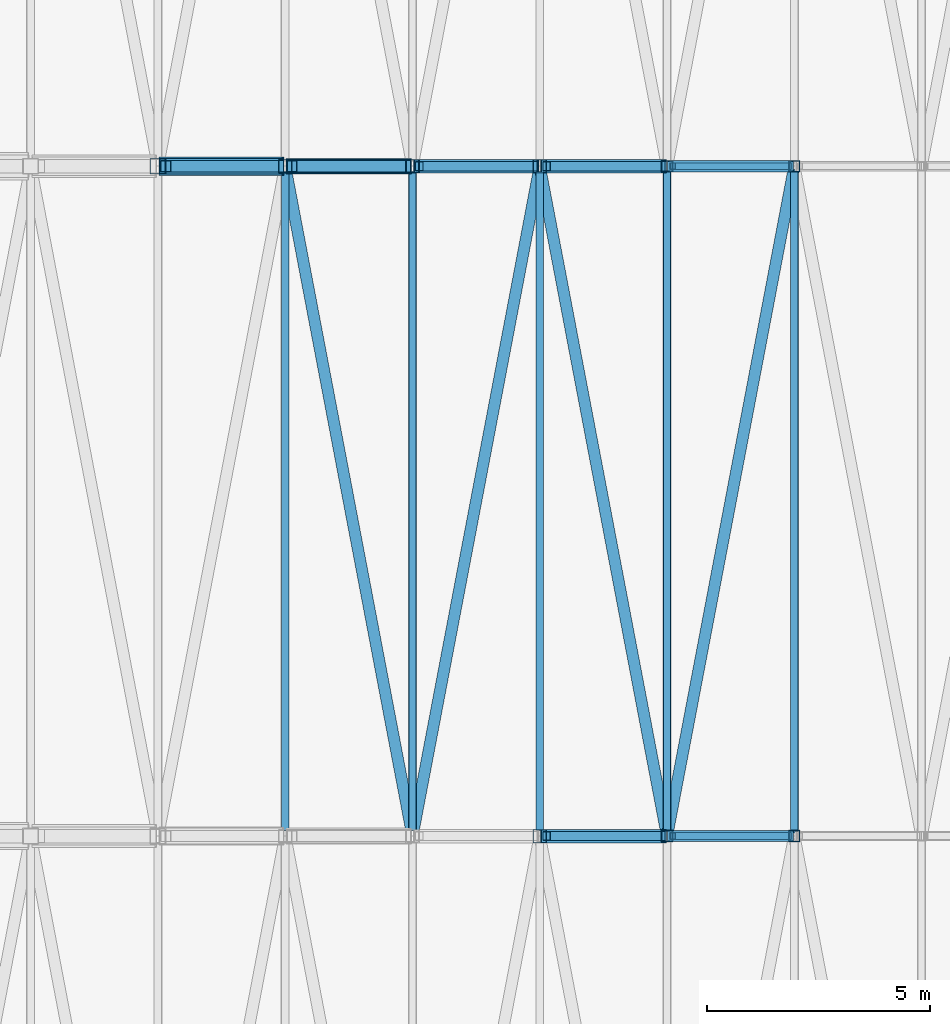
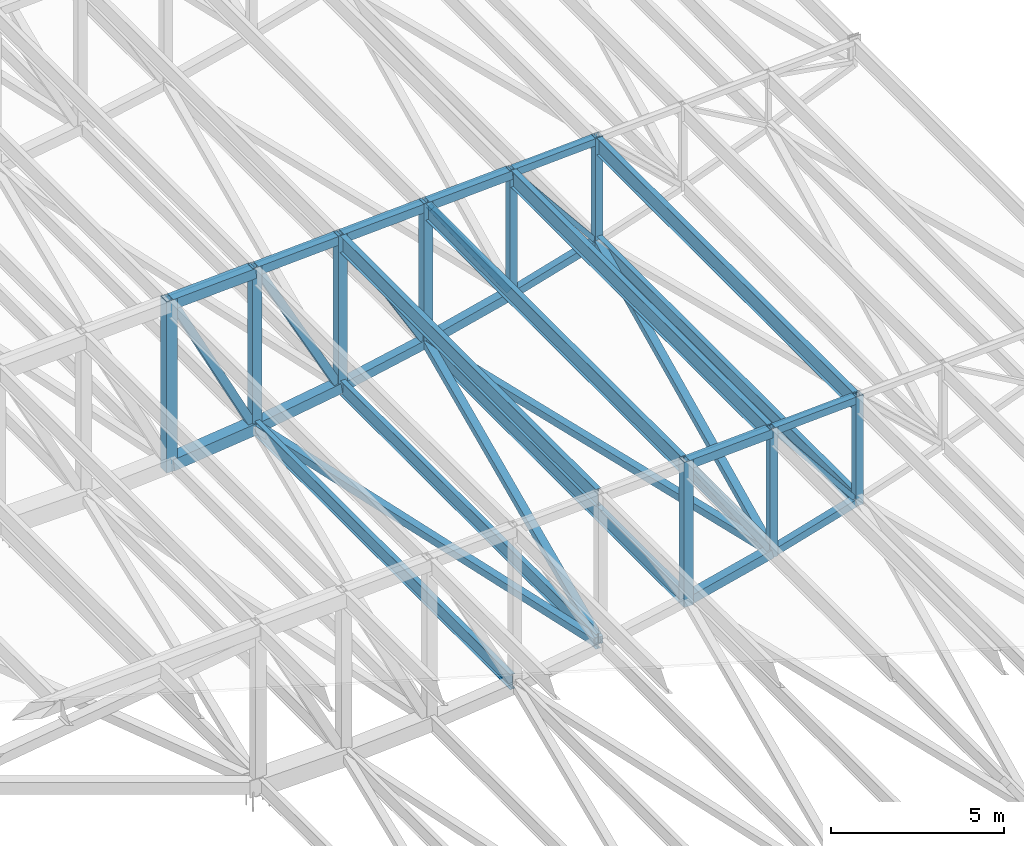
# One storey, part 37 of 278: 23 beams, 20 members.
"""IFC4 building model written with IfcOpenShell, lengths in metres."""

from ifc_helpers import new_model, si_unit, direction, frame, origin, origin_2d, place, context, subcontext, project, spatial, hollow_rectangle, i_section, extrude, material, material_profile, profile_set, type_object, element, save


model = new_model("IFC4")

# Units and contexts
model_context = context("Model", 3, precision=1e-05, world=origin(), true_north=direction((0.0, 1.0)))
body_context = subcontext(model_context, "Body", "Model", "MODEL_VIEW")
ifc_project = project(units=[si_unit("LENGTHUNIT", "METRE"), si_unit("AREAUNIT", "SQUARE_METRE"), si_unit("VOLUMEUNIT", "CUBIC_METRE"), si_unit("PLANEANGLEUNIT", "RADIAN"), si_unit("MASSUNIT", "GRAM", prefix="KILO")], contexts=[model_context])

# Site, building, storey
site_placement = place(None, origin())
site = spatial("IfcSite", under=ifc_project, at=site_placement, CompositionType="ELEMENT")
building_placement = place(site_placement, origin())
building = spatial("IfcBuilding", under=site, at=building_placement, Name="Ogive Plaza Stadium", CompositionType="ELEMENT")
storey_placement = place(building_placement, frame((0.0, 0.0, 29.0)))
storey = spatial("IfcBuildingStorey", under=building, at=storey_placement, Name="Roof", CompositionType="ELEMENT", Elevation=29.0)

# Members
ifc_material_1 = material(Name="Steel ASTM A500 Grade C", Category="steel")
ifc_material_profile_1 = material_profile(ifc_material_1, hollow_rectangle(XDim=0.25390625, YDim=0.25390625, WallThickness=0.0087890625, at=origin_2d()), Name="HSS10X10X3/8")
ifc_profile_set_1 = profile_set([ifc_material_profile_1], Name="Steel ASTM A500 Grade C")
member_type_1 = type_object("IfcMemberType", Name="Roof plan brace HSS10X10X3/8", PredefinedType="BRACE", material=ifc_profile_set_1)
member_1_placement = place(storey_placement, frame((-54.068115234375, 7.404052734375, 3.27001953125), z_axis=(-0.186406461707, -0.981044003163, -0.052965034622), x_axis=(0.982422964001, -0.186668475654, 0.0)))
element("IfcMember", 1, at=member_1_placement, inside=storey, type_object=member_type_1, Name="ROOF BRACE B24 4", PredefinedType="BRACE", context=body_context, shape_type="SweptSolid", body=[
    extrude(hollow_rectangle(XDim=0.25390625, YDim=0.25390625, WallThickness=0.0087890625, at=origin_2d()), origin(), (0.0, 0.0, 1.0), 15.068359375),
])
member_2_placement = place(storey_placement, frame((-56.923095703125, -7.378662109375, 2.459716796875), z_axis=(-0.186461324063, 0.981373677857, -0.046237204039), x_axis=(-0.982424391989, -0.186660960097, 0.0)))
element("IfcMember", 2, at=member_2_placement, inside=storey, type_object=member_type_1, Name="ROOF BRACE B24 5", PredefinedType="BRACE", context=body_context, shape_type="SweptSolid", body=[
    extrude(hollow_rectangle(XDim=0.25390625, YDim=0.25390625, WallThickness=0.0087890625, at=origin_2d()), origin(), (0.0, 0.0, 1.0), 15.011474609375),
])
member_3_placement = place(storey_placement, frame((-59.77783203125, 7.353271484375, 1.753173828125), z_axis=(-0.186534960176, -0.981781820104, -0.036182403809), x_axis=(0.982425109661, -0.186657182843, 0.0)))
element("IfcMember", 3, at=member_3_placement, inside=storey, type_object=member_type_1, Name="ROOF BRACE B24 6", PredefinedType="BRACE", context=body_context, shape_type="SweptSolid", body=[
    extrude(hollow_rectangle(XDim=0.25390625, YDim=0.25390625, WallThickness=0.0087890625, at=origin_2d()), origin(), (0.0, 0.0, 1.0), 14.9794921875),
])
member_4_placement = place(storey_placement, frame((-62.6279296875, -7.353271484375, 1.20166015625), z_axis=(-0.186585145076, 0.982045956233, -0.027779911508), x_axis=(-0.982425109661, -0.186657182843, 0.0)))
element("IfcMember", 4, at=member_4_placement, inside=storey, type_object=member_type_1, Name="ROOF BRACE B24 7", PredefinedType="BRACE", context=body_context, shape_type="SweptSolid", body=[
    extrude(hollow_rectangle(XDim=0.25390625, YDim=0.25390625, WallThickness=0.0087890625, at=origin_2d()), origin(), (0.0, 0.0, 1.0), 14.975341796875),
])
ifc_material_2 = material(Name="Steel ASTM A992 Grade 50", Category="steel")
ifc_material_profile_2 = material_profile(ifc_material_2, i_section(OverallWidth=0.1650390625, OverallDepth=0.524658203125, WebThickness=0.0087890625, FlangeThickness=0.011474609375, at=origin_2d()), Name="W21X44")
ifc_profile_set_2 = profile_set([ifc_material_profile_2], Name="Steel ASTM A992 Grade 50")
member_type_2 = type_object("IfcMemberType", Name="Roof plan strut W21X44", PredefinedType="STRUT", material=ifc_profile_set_2)
member_5_placement = place(storey_placement, frame((-54.050048828125, -7.428466796875, 3.275146484375), z_axis=(0.0, 1.0, 0.0), x_axis=(-1.0, 0.0, 0.0)))
element("IfcMember", 5, at=member_5_placement, inside=storey, type_object=member_type_2, Name="ROOF STRUT B24 3", PredefinedType="STRUT", context=body_context, shape_type="SweptSolid", body=[
    extrude(i_section(OverallWidth=0.1650390625, OverallDepth=0.524658203125, WebThickness=0.0087890625, FlangeThickness=0.011474609375, at=origin_2d()), origin(), (0.0, 0.0, 1.0), 14.85693359375),
])
member_6_placement = place(storey_placement, frame((-56.89990234375, -7.403076171875, 2.46533203125), z_axis=(0.0, 1.0, 0.0), x_axis=(-1.0, 0.0, 0.0)))
element("IfcMember", 6, at=member_6_placement, inside=storey, type_object=member_type_2, Name="ROOF STRUT B24 4", PredefinedType="STRUT", context=body_context, shape_type="SweptSolid", body=[
    extrude(i_section(OverallWidth=0.1650390625, OverallDepth=0.524658203125, WebThickness=0.0087890625, FlangeThickness=0.011474609375, at=origin_2d()), origin(), (0.0, 0.0, 1.0), 14.80615234375),
])
for number, where, z_axis, x_axis, name in (
    (7, (-59.75, -7.377685546875, 1.758544921875), (0.0, 1.0, 0.0), (-1.0, 0.0, 0.0), "ROOF STRUT B24 5"),
    (8, (-62.60009765625, -7.377685546875, 1.205810546875), (0.0, 1.0, 0.0), (-1.0, 0.0, 0.0), "ROOF STRUT B24 6"),
    (9, (-65.449951171875, -7.377685546875, 0.781494140625), (0.0, 1.0, 0.0), (-1.0, 0.0, 0.0), "ROOF STRUT B24 7"),
):
    element("IfcMember", number, at=place(storey_placement, frame(where, z_axis=z_axis, x_axis=x_axis)), inside=storey, type_object=member_type_2, Name=name, PredefinedType="STRUT", context=body_context, shape_type="SweptSolid", body=[
        extrude(i_section(OverallWidth=0.1650390625, OverallDepth=0.524658203125, WebThickness=0.0087890625, FlangeThickness=0.011474609375, at=origin_2d()), origin(), (0.0, 0.0, 1.0), 14.75537109375),
    ])
ifc_material_3 = material(Name="Steel ASTM A992 Grade 50", Category="steel")
ifc_material_profile_3 = material_profile(ifc_material_3, i_section(OverallWidth=0.177978515625, OverallDepth=0.5986328125, WebThickness=0.010009765625, FlangeThickness=0.012939453125, at=origin_2d()), Name="W24X55")
ifc_profile_set_3 = profile_set([ifc_material_profile_3], Name="Steel ASTM A992 Grade 50")
member_type_3 = type_object("IfcMemberType", Name="Roof purlin W24X55", PredefinedType="PURLIN", material=ifc_profile_set_3)
member_7_placement = place(storey_placement, frame((-54.050048828125, -7.428466796875, 6.6982421875), z_axis=(0.0, 1.0, 0.0), x_axis=(-1.0, 0.0, 0.0)))
element("IfcMember", 10, at=member_7_placement, inside=storey, type_object=member_type_3, Name="ROOF PURLIN B24 3", PredefinedType="PURLIN", context=body_context, shape_type="SweptSolid", body=[
    extrude(i_section(OverallWidth=0.177978515625, OverallDepth=0.5986328125, WebThickness=0.010009765625, FlangeThickness=0.012939453125, at=origin_2d()), origin(), (0.0, 0.0, 1.0), 14.85693359375),
])
member_8_placement = place(storey_placement, frame((-56.89990234375, -7.403076171875, 6.5556640625), z_axis=(0.0, 1.0, 0.0), x_axis=(-1.0, 0.0, 0.0)))
element("IfcMember", 11, at=member_8_placement, inside=storey, type_object=member_type_3, Name="ROOF PURLIN B24 4", PredefinedType="PURLIN", context=body_context, shape_type="SweptSolid", body=[
    extrude(i_section(OverallWidth=0.177978515625, OverallDepth=0.5986328125, WebThickness=0.010009765625, FlangeThickness=0.012939453125, at=origin_2d()), origin(), (0.0, 0.0, 1.0), 14.80615234375),
])
for number, where, z_axis, x_axis, name in (
    (12, (-59.75, -7.377685546875, 6.4130859375), (0.0, 1.0, 0.0), (-1.0, 0.0, 0.0), "ROOF PURLIN B24 5"),
    (13, (-62.60009765625, -7.377685546875, 6.270751953125), (0.0, 1.0, 0.0), (-1.0, 0.0, 0.0), "ROOF PURLIN B24 6"),
):
    element("IfcMember", number, at=place(storey_placement, frame(where, z_axis=z_axis, x_axis=x_axis)), inside=storey, type_object=member_type_3, Name=name, PredefinedType="PURLIN", context=body_context, shape_type="SweptSolid", body=[
        extrude(i_section(OverallWidth=0.177978515625, OverallDepth=0.5986328125, WebThickness=0.010009765625, FlangeThickness=0.012939453125, at=origin_2d()), origin(), (0.0, 0.0, 1.0), 14.75537109375),
    ])

# Beams
ifc_material_4 = material(Name="Steel ASTM A500 Grade C", Category="steel")
ifc_material_profile_4 = material_profile(ifc_material_4, hollow_rectangle(XDim=0.25390625, YDim=0.25390625, WallThickness=0.01171875, at=origin_2d()), Name="HSS10X10X1/2")
ifc_profile_set_4 = profile_set([ifc_material_profile_4], Name="Steel ASTM A500 Grade C")
beam_type_1 = type_object("IfcBeamType", Name="Roof truss bottom chord HSS10X10X1/2", PredefinedType="BEAM", material=ifc_profile_set_4)
for number, where, z_axis, x_axis, name in (
    (14, (-54.10009765625, -7.5, 3.265869140625), (-0.959640437259, 0.0, -0.281229854705), (0.0, -1.0, 0.0), "ROOF TRUSS T24 BOTTOM CHORD 4"),
    (15, (-54.10009765625, 7.5, 3.265869140625), (-0.959640437259, 0.0, -0.281229854705), (0.0, -1.0, 0.0), "ROOF TRUSS T25 BOTTOM CHORD 4"),
):
    element("IfcBeam", number, at=place(storey_placement, frame(where, z_axis=z_axis, x_axis=x_axis)), inside=storey, type_object=beam_type_1, Name=name, PredefinedType="BEAM", context=body_context, shape_type="SweptSolid", body=[
        extrude(hollow_rectangle(XDim=0.25390625, YDim=0.25390625, WallThickness=0.01171875, at=origin_2d()), origin(), (0.0, 0.0, 1.0), 2.86572265625),
    ])
ifc_material_5 = material(Name="Steel ASTM A500 Grade C", Category="steel")
ifc_material_profile_5 = material_profile(ifc_material_5, hollow_rectangle(XDim=0.3046875, YDim=0.3046875, WallThickness=0.0146484375, at=origin_2d()), Name="HSS12X12X5/8")
ifc_profile_set_5 = profile_set([ifc_material_profile_5], Name="Steel ASTM A500 Grade C")
beam_type_2 = type_object("IfcBeamType", Name="Roof truss bottom chord HSS12X12X5/8", PredefinedType="BEAM", material=ifc_profile_set_5)
for number, where, z_axis, x_axis, name in (
    (16, (-56.949951171875, -7.5, 2.45751953125), (-0.970607032995, 0.0, -0.240669872439), (0.0, -1.0, 0.0), "ROOF TRUSS T24 BOTTOM CHORD 5"),
    (17, (-56.949951171875, 7.5, 2.45751953125), (-0.970607032995, 0.0, -0.240669872439), (0.0, -1.0, 0.0), "ROOF TRUSS T25 BOTTOM CHORD 5"),
):
    element("IfcBeam", number, at=place(storey_placement, frame(where, z_axis=z_axis, x_axis=x_axis)), inside=storey, type_object=beam_type_2, Name=name, PredefinedType="BEAM", context=body_context, shape_type="SweptSolid", body=[
        extrude(hollow_rectangle(XDim=0.3046875, YDim=0.3046875, WallThickness=0.0146484375, at=origin_2d()), origin(), (0.0, 0.0, 1.0), 2.833251953125),
    ])
beam_1_placement = place(storey_placement, frame((-59.800048828125, 7.5, 1.751708984375), z_axis=(-0.980021250437, 0.0, -0.19889280704), x_axis=(0.0, -1.0, 0.0)))
element("IfcBeam", 18, at=beam_1_placement, inside=storey, type_object=beam_type_2, Name="ROOF TRUSS T25 BOTTOM CHORD 6", PredefinedType="BEAM", context=body_context, shape_type="SweptSolid", body=[
    extrude(hollow_rectangle(XDim=0.3046875, YDim=0.3046875, WallThickness=0.0146484375, at=origin_2d()), origin(), (0.0, 0.0, 1.0), 2.80615234375),
])
ifc_material_6 = material(Name="Steel ASTM A500 Grade C", Category="steel")
ifc_material_profile_6 = material_profile(ifc_material_6, hollow_rectangle(XDim=0.355712890625, YDim=0.355712890625, WallThickness=0.0146484375, at=origin_2d()), Name="HSS14X14X5/8")
ifc_profile_set_6 = profile_set([ifc_material_profile_6], Name="Steel ASTM A500 Grade C")
beam_type_3 = type_object("IfcBeamType", Name="Roof truss bottom chord HSS14X14X5/8", PredefinedType="BEAM", material=ifc_profile_set_6)
beam_2_placement = place(storey_placement, frame((-62.64990234375, 7.5, 1.2001953125), z_axis=(-0.987770074518, 0.0, -0.155917541947), x_axis=(0.0, -1.0, 0.0)))
element("IfcBeam", 19, at=beam_2_placement, inside=storey, type_object=beam_type_3, Name="ROOF TRUSS T25 BOTTOM CHORD 7", PredefinedType="BEAM", context=body_context, shape_type="SweptSolid", body=[
    extrude(hollow_rectangle(XDim=0.355712890625, YDim=0.355712890625, WallThickness=0.0146484375, at=origin_2d()), origin(), (0.0, 0.0, 1.0), 2.783935546875),
])
ifc_material_7 = material(Name="Steel ASTM A500 Grade C", Category="steel")
ifc_material_profile_7 = material_profile(ifc_material_7, hollow_rectangle(XDim=0.406494140625, YDim=0.406494140625, WallThickness=0.0146484375, at=origin_2d()), Name="HSS16X16X5/8")
ifc_profile_set_7 = profile_set([ifc_material_profile_7], Name="Steel ASTM A500 Grade C")
beam_type_4 = type_object("IfcBeamType", Name="Roof truss bottom chord HSS16X16X5/8", PredefinedType="BEAM", material=ifc_profile_set_7)
beam_3_placement = place(storey_placement, frame((-65.5, 7.5, 0.777099609375), z_axis=(-0.993703844406, 0.0, -0.112038696946), x_axis=(0.0, -1.0, 0.0)))
element("IfcBeam", 20, at=beam_3_placement, inside=storey, type_object=beam_type_4, Name="ROOF TRUSS T25 BOTTOM CHORD 8", PredefinedType="BEAM", context=body_context, shape_type="SweptSolid", body=[
    extrude(hollow_rectangle(XDim=0.406494140625, YDim=0.406494140625, WallThickness=0.0146484375, at=origin_2d()), origin(), (0.0, 0.0, 1.0), 2.767333984375),
])

# Members
ifc_material_8 = material(Name="Steel ASTM A500 Grade C", Category="steel")
ifc_material_profile_8 = material_profile(ifc_material_8, hollow_rectangle(XDim=0.25390625, YDim=0.25390625, WallThickness=0.0087890625, at=origin_2d()), Name="HSS10X10X3/8")
ifc_profile_set_8 = profile_set([ifc_material_profile_8], Name="Steel ASTM A500 Grade C")
member_type_4 = type_object("IfcMemberType", Name="Roof truss diagonal HSS10X10X3/8", PredefinedType="BRACE", material=ifc_profile_set_8)
member_9_placement = place(storey_placement, frame((-62.75244140625, 7.5, 1.383544921875), z_axis=(-0.473127942579, 0.0, 0.880993728667), x_axis=(0.0, -1.0, 0.0)))
element("IfcMember", 21, at=member_9_placement, inside=storey, type_object=member_type_4, Name="ROOF TRUSS T25 DIAGONAL 7", PredefinedType="BRACE", context=body_context, shape_type="SweptSolid", body=[
    extrude(hollow_rectangle(XDim=0.25390625, YDim=0.25390625, WallThickness=0.0087890625, at=origin_2d()), origin(), (0.0, 0.0, 1.0), 5.37939453125),
])
member_10_placement = place(storey_placement, frame((-65.602294921875, 7.5, 0.984619140625), z_axis=(-0.454062843231, 0.0, 0.890969659639), x_axis=(0.0, -1.0, 0.0)))
element("IfcMember", 22, at=member_10_placement, inside=storey, type_object=member_type_4, Name="ROOF TRUSS T25 DIAGONAL 8", PredefinedType="BRACE", context=body_context, shape_type="SweptSolid", body=[
    extrude(hollow_rectangle(XDim=0.25390625, YDim=0.25390625, WallThickness=0.0087890625, at=origin_2d()), origin(), (0.0, 0.0, 1.0), 5.550048828125),
])
ifc_material_9 = material(Name="Steel ASTM A500 Grade C", Category="steel")
ifc_material_profile_9 = material_profile(ifc_material_9, hollow_rectangle(XDim=0.15234375, YDim=0.15234375, WallThickness=0.0087890625, at=origin_2d()), Name="HSS6X6X3/8")
ifc_profile_set_9 = profile_set([ifc_material_profile_9], Name="Steel ASTM A500 Grade C")
member_type_5 = type_object("IfcMemberType", Name="Roof truss diagonal HSS6X6X3/8", PredefinedType="BRACE", material=ifc_profile_set_9)
for number, where, z_axis, x_axis, name in (
    (23, (-54.177001953125, -7.5, 3.40234375), (-0.630150764463, 0.0, 0.77647280316), (0.0, -1.0, 0.0), "ROOF TRUSS T24 DIAGONAL 4"),
    (24, (-54.177001953125, 7.5, 3.40234375), (-0.630150764463, 0.0, 0.77647280316), (0.0, -1.0, 0.0), "ROOF TRUSS T25 DIAGONAL 4"),
):
    element("IfcMember", number, at=place(storey_placement, frame(where, z_axis=z_axis, x_axis=x_axis)), inside=storey, type_object=member_type_5, Name=name, PredefinedType="BRACE", context=body_context, shape_type="SweptSolid", body=[
        extrude(hollow_rectangle(XDim=0.15234375, YDim=0.15234375, WallThickness=0.0087890625, at=origin_2d()), origin(), (0.0, 0.0, 1.0), 4.11962890625),
    ])
ifc_material_10 = material(Name="Steel ASTM A500 Grade C", Category="steel")
ifc_material_profile_10 = material_profile(ifc_material_10, hollow_rectangle(XDim=0.203125, YDim=0.203125, WallThickness=0.0087890625, at=origin_2d()), Name="HSS8X8X3/8")
ifc_profile_set_10 = profile_set([ifc_material_profile_10], Name="Steel ASTM A500 Grade C")
member_type_6 = type_object("IfcMemberType", Name="Roof truss diagonal HSS8X8X3/8", PredefinedType="BRACE", material=ifc_profile_set_10)
for number, where, z_axis, x_axis, name in (
    (25, (-57.027099609375, -7.5, 2.617919921875), (-0.561338440243, 0.0, 0.827586343233), (0.0, -1.0, 0.0), "ROOF TRUSS T24 DIAGONAL 5"),
    (26, (-57.027099609375, 7.5, 2.617919921875), (-0.561338440243, 0.0, 0.827586343233), (0.0, -1.0, 0.0), "ROOF TRUSS T25 DIAGONAL 5"),
):
    element("IfcMember", number, at=place(storey_placement, frame(where, z_axis=z_axis, x_axis=x_axis)), inside=storey, type_object=member_type_6, Name=name, PredefinedType="BRACE", context=body_context, shape_type="SweptSolid", body=[
        extrude(hollow_rectangle(XDim=0.203125, YDim=0.203125, WallThickness=0.0087890625, at=origin_2d()), origin(), (0.0, 0.0, 1.0), 4.579345703125),
    ])
member_11_placement = place(storey_placement, frame((-59.90234375, 7.5, 1.9111328125), z_axis=(-0.504659398762, 0.0, 0.863318534054), x_axis=(0.0, -1.0, 0.0)))
element("IfcMember", 27, at=member_11_placement, inside=storey, type_object=member_type_6, Name="ROOF TRUSS T25 DIAGONAL 6", PredefinedType="BRACE", context=body_context, shape_type="SweptSolid", body=[
    extrude(hollow_rectangle(XDim=0.203125, YDim=0.203125, WallThickness=0.0087890625, at=origin_2d()), origin(), (0.0, 0.0, 1.0), 5.043212890625),
])

# Beams
ifc_material_11 = material(Name="Steel ASTM A500 Grade C", Category="steel")
ifc_material_profile_11 = material_profile(ifc_material_11, hollow_rectangle(XDim=0.25390625, YDim=0.25390625, WallThickness=0.01171875, at=origin_2d()), Name="HSS10X10X1/2")
ifc_profile_set_11 = profile_set([ifc_material_profile_11], Name="Steel ASTM A500 Grade C")
beam_type_5 = type_object("IfcBeamType", Name="Roof truss post HSS10X10X1/2", PredefinedType="BEAM", material=ifc_profile_set_11)
beam_4_placement = place(storey_placement, frame((-54.050048828125, -7.5, 3.148193359375), z_axis=(0.0, 0.0, 1.0), x_axis=(0.0, -1.0, 0.0)))
element("IfcBeam", 28, at=beam_4_placement, inside=storey, type_object=beam_type_5, Name="ROOF TRUSS T24 POST 4", PredefinedType="BEAM", context=body_context, shape_type="SweptSolid", body=[
    extrude(hollow_rectangle(XDim=0.25390625, YDim=0.25390625, WallThickness=0.01171875, at=origin_2d()), origin(), (0.0, 0.0, 1.0), 3.849365234375),
])
beam_5_placement = place(storey_placement, frame((-56.89990234375, -7.5, 2.31298828125), z_axis=(0.0, 0.0, 1.0), x_axis=(0.0, -1.0, 0.0)))
element("IfcBeam", 29, at=beam_5_placement, inside=storey, type_object=beam_type_5, Name="ROOF TRUSS T24 POST 5", PredefinedType="BEAM", context=body_context, shape_type="SweptSolid", body=[
    extrude(hollow_rectangle(XDim=0.25390625, YDim=0.25390625, WallThickness=0.01171875, at=origin_2d()), origin(), (0.0, 0.0, 1.0), 4.5419921875),
])
beam_6_placement = place(storey_placement, frame((-54.050048828125, 7.5, 3.148193359375), z_axis=(0.0, 0.0, 1.0), x_axis=(0.0, -1.0, 0.0)))
element("IfcBeam", 30, at=beam_6_placement, inside=storey, type_object=beam_type_5, Name="ROOF TRUSS T25 POST 4", PredefinedType="BEAM", context=body_context, shape_type="SweptSolid", body=[
    extrude(hollow_rectangle(XDim=0.25390625, YDim=0.25390625, WallThickness=0.01171875, at=origin_2d()), origin(), (0.0, 0.0, 1.0), 3.849365234375),
])
beam_7_placement = place(storey_placement, frame((-56.89990234375, 7.5, 2.31298828125), z_axis=(0.0, 0.0, 1.0), x_axis=(0.0, -1.0, 0.0)))
element("IfcBeam", 31, at=beam_7_placement, inside=storey, type_object=beam_type_5, Name="ROOF TRUSS T25 POST 5", PredefinedType="BEAM", context=body_context, shape_type="SweptSolid", body=[
    extrude(hollow_rectangle(XDim=0.25390625, YDim=0.25390625, WallThickness=0.01171875, at=origin_2d()), origin(), (0.0, 0.0, 1.0), 4.5419921875),
])
ifc_material_12 = material(Name="Steel ASTM A500 Grade C", Category="steel")
ifc_material_profile_12 = material_profile(ifc_material_12, hollow_rectangle(XDim=0.3046875, YDim=0.3046875, WallThickness=0.01171875, at=origin_2d()), Name="HSS12X12X1/2")
ifc_profile_set_12 = profile_set([ifc_material_profile_12], Name="Steel ASTM A500 Grade C")
beam_type_6 = type_object("IfcBeamType", Name="Roof truss post HSS12X12X1/2", PredefinedType="BEAM", material=ifc_profile_set_12)
for number, where, z_axis, x_axis, name in (
    (32, (-59.75, -7.5, 1.606201171875), (0.0, 0.0, 1.0), (0.0, -1.0, 0.0), "ROOF TRUSS T24 POST 6"),
    (33, (-59.75, 7.5, 1.606201171875), (0.0, 0.0, 1.0), (0.0, -1.0, 0.0), "ROOF TRUSS T25 POST 6"),
):
    element("IfcBeam", number, at=place(storey_placement, frame(where, z_axis=z_axis, x_axis=x_axis)), inside=storey, type_object=beam_type_6, Name=name, PredefinedType="BEAM", context=body_context, shape_type="SweptSolid", body=[
        extrude(hollow_rectangle(XDim=0.3046875, YDim=0.3046875, WallThickness=0.01171875, at=origin_2d()), origin(), (0.0, 0.0, 1.0), 5.106201171875),
    ])
ifc_material_13 = material(Name="Steel ASTM A500 Grade C", Category="steel")
ifc_material_profile_13 = material_profile(ifc_material_13, hollow_rectangle(XDim=0.3046875, YDim=0.3046875, WallThickness=0.0146484375, at=origin_2d()), Name="HSS12X12X5/8")
ifc_profile_set_13 = profile_set([ifc_material_profile_13], Name="Steel ASTM A500 Grade C")
beam_type_7 = type_object("IfcBeamType", Name="Roof truss post HSS12X12X5/8", PredefinedType="BEAM", material=ifc_profile_set_13)
beam_8_placement = place(storey_placement, frame((-62.60009765625, 7.5, 1.028076171875), z_axis=(0.0, 0.0, 1.0), x_axis=(0.0, -1.0, 0.0)))
element("IfcBeam", 34, at=beam_8_placement, inside=storey, type_object=beam_type_7, Name="ROOF TRUSS T25 POST 7", PredefinedType="BEAM", context=body_context, shape_type="SweptSolid", body=[
    extrude(hollow_rectangle(XDim=0.3046875, YDim=0.3046875, WallThickness=0.0146484375, at=origin_2d()), origin(), (0.0, 0.0, 1.0), 5.5419921875),
])
beam_9_placement = place(storey_placement, frame((-65.449951171875, 7.5, 0.578369140625), z_axis=(0.0, 0.0, 1.0), x_axis=(0.0, -1.0, 0.0)))
element("IfcBeam", 35, at=beam_9_placement, inside=storey, type_object=beam_type_7, Name="ROOF TRUSS T25 POST 8", PredefinedType="BEAM", context=body_context, shape_type="SweptSolid", body=[
    extrude(hollow_rectangle(XDim=0.3046875, YDim=0.3046875, WallThickness=0.0146484375, at=origin_2d()), origin(), (0.0, 0.0, 1.0), 5.84912109375),
])
ifc_material_14 = material(Name="Steel ASTM A500 Grade C", Category="steel")
ifc_material_profile_14 = material_profile(ifc_material_14, hollow_rectangle(XDim=0.355712890625, YDim=0.355712890625, WallThickness=0.0146484375, at=origin_2d()), Name="HSS14X14X5/8")
ifc_profile_set_14 = profile_set([ifc_material_profile_14], Name="Steel ASTM A500 Grade C")
beam_type_8 = type_object("IfcBeamType", Name="Roof truss post HSS14X14X5/8", PredefinedType="BEAM", material=ifc_profile_set_14)
beam_10_placement = place(storey_placement, frame((-68.300048828125, 7.5, 0.257080078125), z_axis=(0.0, 0.0, 1.0), x_axis=(0.0, -1.0, 0.0)))
element("IfcBeam", 36, at=beam_10_placement, inside=storey, type_object=beam_type_8, Name="ROOF TRUSS T25 POST 9", PredefinedType="BEAM", context=body_context, shape_type="SweptSolid", body=[
    extrude(hollow_rectangle(XDim=0.355712890625, YDim=0.355712890625, WallThickness=0.0146484375, at=origin_2d()), origin(), (0.0, 0.0, 1.0), 6.02783203125),
])
ifc_material_15 = material(Name="Steel ASTM A500 Grade C", Category="steel")
ifc_material_profile_15 = material_profile(ifc_material_15, hollow_rectangle(XDim=0.25390625, YDim=0.25390625, WallThickness=0.0087890625, at=origin_2d()), Name="HSS10X10X3/8")
ifc_profile_set_15 = profile_set([ifc_material_profile_15], Name="Steel ASTM A500 Grade C")
beam_type_9 = type_object("IfcBeamType", Name="Roof truss top chord HSS10X10X3/8", PredefinedType="BEAM", material=ifc_profile_set_15)
for number, where, z_axis, x_axis, name in (
    (37, (-54.10009765625, -7.5, 6.867919921875), (-0.998748798523, 0.0, -0.05000837379), (0.0, -1.0, 0.0), "ROOF TRUSS T24 TOP CHORD 4"),
    (38, (-54.10009765625, 7.5, 6.867919921875), (-0.998748798523, 0.0, -0.05000837379), (0.0, -1.0, 0.0), "ROOF TRUSS T25 TOP CHORD 4"),
):
    element("IfcBeam", number, at=place(storey_placement, frame(where, z_axis=z_axis, x_axis=x_axis)), inside=storey, type_object=beam_type_9, Name=name, PredefinedType="BEAM", context=body_context, shape_type="SweptSolid", body=[
        extrude(hollow_rectangle(XDim=0.25390625, YDim=0.25390625, WallThickness=0.0087890625, at=origin_2d()), origin(), (0.0, 0.0, 1.0), 2.75341796875),
    ])
ifc_material_16 = material(Name="Steel ASTM A500 Grade C", Category="steel")
ifc_material_profile_16 = material_profile(ifc_material_16, hollow_rectangle(XDim=0.3046875, YDim=0.3046875, WallThickness=0.01171875, at=origin_2d()), Name="HSS12X12X1/2")
ifc_profile_set_16 = profile_set([ifc_material_profile_16], Name="Steel ASTM A500 Grade C")
beam_type_10 = type_object("IfcBeamType", Name="Roof truss top chord HSS12X12X1/2", PredefinedType="BEAM", material=ifc_profile_set_16)
beam_11_placement = place(storey_placement, frame((-62.64990234375, 7.5, 6.414794921875), z_axis=(-0.998753223187, 0.0, -0.049919927615), x_axis=(0.0, -1.0, 0.0)))
element("IfcBeam", 39, at=beam_11_placement, inside=storey, type_object=beam_type_10, Name="ROOF TRUSS T25 TOP CHORD 7", PredefinedType="BEAM", context=body_context, shape_type="SweptSolid", body=[
    extrude(hollow_rectangle(XDim=0.3046875, YDim=0.3046875, WallThickness=0.01171875, at=origin_2d()), origin(), (0.0, 0.0, 1.0), 2.75341796875),
])
ifc_material_17 = material(Name="Steel ASTM A500 Grade C", Category="steel")
ifc_material_profile_17 = material_profile(ifc_material_17, hollow_rectangle(XDim=0.3046875, YDim=0.3046875, WallThickness=0.0087890625, at=origin_2d()), Name="HSS12X12X3/8")
ifc_profile_set_17 = profile_set([ifc_material_profile_17], Name="Steel ASTM A500 Grade C")
beam_type_11 = type_object("IfcBeamType", Name="Roof truss top chord HSS12X12X3/8", PredefinedType="BEAM", material=ifc_profile_set_17)
for number, where, z_axis, x_axis, name in (
    (40, (-56.949951171875, -7.5, 6.699951171875), (-0.998753223187, 0.0, -0.049919927615), (0.0, -1.0, 0.0), "ROOF TRUSS T24 TOP CHORD 5"),
    (41, (-56.949951171875, 7.5, 6.699951171875), (-0.998753223187, 0.0, -0.049919927615), (0.0, -1.0, 0.0), "ROOF TRUSS T25 TOP CHORD 5"),
    (42, (-59.800048828125, 7.5, 6.557373046875), (-0.998753223187, 0.0, -0.049919927615), (0.0, -1.0, 0.0), "ROOF TRUSS T25 TOP CHORD 6"),
):
    element("IfcBeam", number, at=place(storey_placement, frame(where, z_axis=z_axis, x_axis=x_axis)), inside=storey, type_object=beam_type_11, Name=name, PredefinedType="BEAM", context=body_context, shape_type="SweptSolid", body=[
        extrude(hollow_rectangle(XDim=0.3046875, YDim=0.3046875, WallThickness=0.0087890625, at=origin_2d()), origin(), (0.0, 0.0, 1.0), 2.75341796875),
    ])
ifc_material_18 = material(Name="Steel ASTM A500 Grade C", Category="steel")
ifc_material_profile_18 = material_profile(ifc_material_18, hollow_rectangle(XDim=0.355712890625, YDim=0.355712890625, WallThickness=0.01171875, at=origin_2d()), Name="HSS14X14X1/2")
ifc_profile_set_18 = profile_set([ifc_material_profile_18], Name="Steel ASTM A500 Grade C")
beam_type_12 = type_object("IfcBeamType", Name="Roof truss top chord HSS14X14X1/2", PredefinedType="BEAM", material=ifc_profile_set_18)
beam_12_placement = place(storey_placement, frame((-65.5, 7.5, 6.2470703125), z_axis=(-0.998748798523, 0.0, -0.05000837379), x_axis=(0.0, -1.0, 0.0)))
element("IfcBeam", 43, at=beam_12_placement, inside=storey, type_object=beam_type_12, Name="ROOF TRUSS T25 TOP CHORD 8", PredefinedType="BEAM", context=body_context, shape_type="SweptSolid", body=[
    extrude(hollow_rectangle(XDim=0.355712890625, YDim=0.355712890625, WallThickness=0.01171875, at=origin_2d()), origin(), (0.0, 0.0, 1.0), 2.75341796875),
])

save(model, "model.ifc")
